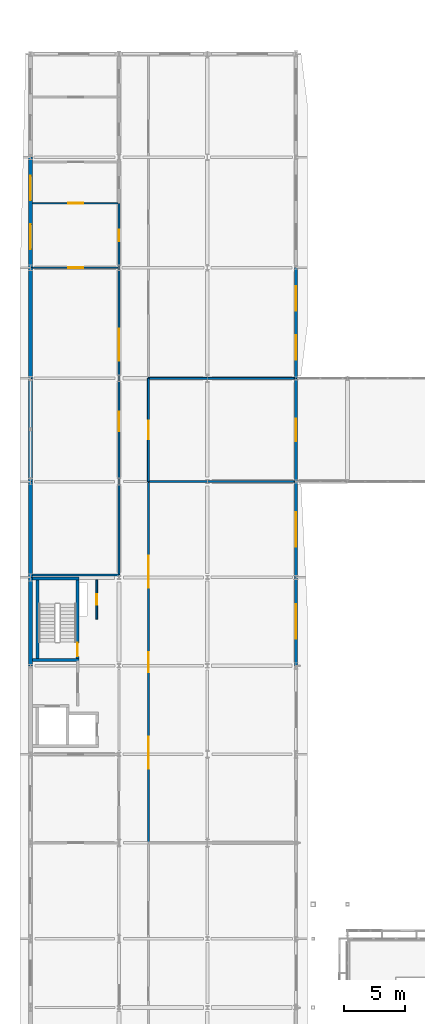
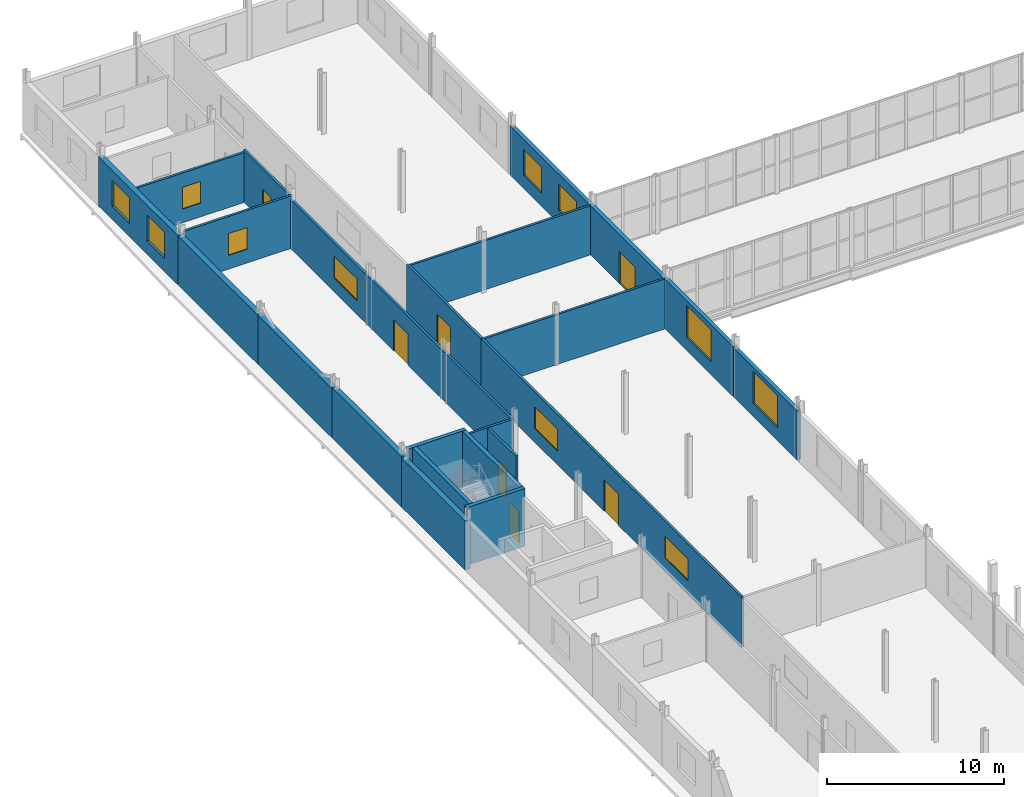
# One storey, part 117 of 138: 23 walls, 11 windows, 7 doors, 18 openings.
"""IFC4 building model written with IfcOpenShell, lengths in metres."""

from ifc_helpers import new_model, si_unit, direction, frame, frame_2d, origin, place, context, subcontext, project, spatial, rectangle, extrude, material, layer, layer_set, type_object, element, fill, save


model = new_model("IFC4")

# Units and contexts
model_context = context("Model", 3, precision=1e-05, world=origin(), true_north=direction((0.0, 1.0)))
body_context = subcontext(model_context, "Body", "Model", "MODEL_VIEW")
ifc_project = project(units=[si_unit("LENGTHUNIT", "METRE"), si_unit("AREAUNIT", "SQUARE_METRE"), si_unit("VOLUMEUNIT", "CUBIC_METRE"), si_unit("PLANEANGLEUNIT", "RADIAN"), si_unit("MASSUNIT", "GRAM", prefix="KILO")], contexts=[model_context])

# Site, building, storey
site_placement = place(None, origin())
site = spatial("IfcSite", under=ifc_project, at=site_placement, CompositionType="ELEMENT")
building_placement = place(site_placement, origin())
building = spatial("IfcBuilding", under=site, at=building_placement, Name="Vinh Khe Railworks Police Headquarters", CompositionType="ELEMENT")
storey_placement = place(building_placement, frame((0.0, 0.0, 9.0)))
storey = spatial("IfcBuildingStorey", under=building, at=storey_placement, Name="L02", CompositionType="ELEMENT", Elevation=9.0)

# Walls
ifc_material_1 = material(Name="Concrete C40/50 (B40)", Category="concrete")
ifc_layer_1 = layer(ifc_material_1, 0.25)
ifc_layer_set_1 = layer_set([ifc_layer_1], Name="Concrete C40/50 (B40)")
wall_type_1 = type_object("IfcWallType", Name="Core Shear Wall 250", PredefinedType="SHEAR", material=ifc_layer_set_1)
for number, where, z_axis, x_axis, name in (
    (1, (0.75, 81.47509765625, 0.0), (0.0, 0.0, 1.0), (1.0, 0.0, 0.0), "Core C2 STAIR-S Shear Wall (L02)"),
    (2, (0.75, 88.125, 0.0), (0.0, 0.0, 1.0), (1.0, 0.0, 0.0), "Core C2 STAIR-N Shear Wall (L02)"),
):
    element("IfcWall", number, at=place(storey_placement, frame(where, z_axis=z_axis, x_axis=x_axis)), inside=storey, type_object=wall_type_1, Name=name, PredefinedType="SHEAR", context=body_context, shape_type="SweptSolid", body=[
        extrude(rectangle(XDim=3.800048828125, YDim=0.25, at=frame_2d((1.89990234375, 0.0))), origin(), (0.0, 0.0, 1.0), 3.97998046875),
    ])
wall_1_placement = place(storey_placement, frame((1.175048828125, 81.60009765625, 0.0), z_axis=(0.0, 0.0, 1.0), x_axis=(0.0, 1.0, 0.0)))
element("IfcWall", 3, at=wall_1_placement, inside=storey, type_object=wall_type_1, Name="Core C2 STAIR-W Shear Wall (L02)", PredefinedType="SHEAR", context=body_context, shape_type="SweptSolid", body=[
    extrude(rectangle(XDim=6.39990234375, YDim=0.25, at=frame_2d((3.199951171875, 0.0))), origin(), (0.0, 0.0, 1.0), 3.97998046875),
])

# Wall, opening, door
wall_2_placement = place(storey_placement, frame((4.425048828125, 81.60009765625, 0.0), z_axis=(0.0, 0.0, 1.0), x_axis=(0.0, 1.0, 0.0)))
wall_2 = element("IfcWall", 4, at=wall_2_placement, inside=storey, type_object=wall_type_1, Name="Core C2 STAIR-E Shear Wall (L02)", PredefinedType="SHEAR", context=body_context, shape_type="SweptSolid", body=[
    extrude(rectangle(XDim=6.39990234375, YDim=0.25, at=frame_2d((3.199951171875, 0.0))), origin(), (0.0, 0.0, 1.0), 3.97998046875),
])
opening_1_placement = place(wall_2_placement, frame((0.169921875, 0.0, 0.0)))
opening_1 = element("IfcOpeningElement", 5, at=opening_1_placement, cuts=wall_2, Name="Opening FD-01", PredefinedType="OPENING", context=body_context, shape_type="SweptSolid", body=[
    extrude(rectangle(XDim=1.10009765625, YDim=2.14990234375, at=frame_2d((0.550048828125, 1.074951171875))), frame((0.0, 0.139892578125, 0.0), z_axis=(0.0, -1.0, 0.0), x_axis=(1.0, 0.0, 0.0)), (0.0, 0.0, 1.0), 0.27978515625),
])
ifc_material_2 = material(Name="Painted galvanised steel", Category="steel")
door_type_1 = type_object("IfcDoorType", Name="FD-1100x2150", OperationType="NOTDEFINED", PredefinedType="DOOR", material=ifc_material_2)
door_1_placement = place(opening_1_placement, frame((1.10009765625, 0.0, 0.0), z_axis=(0.0, 0.0, 1.0), x_axis=(-1.0, 0.0, 0.0)))
door_1 = element("IfcDoor", 6, at=door_1_placement, inside=storey, type_object=door_type_1, Name="Escape Stair ST-02 Fire Door L02", OperationType="SINGLE_SWING_LEFT", OverallHeight=2.14990234375, OverallWidth=1.10009765625, PredefinedType="DOOR", context=body_context, shape_type="SweptSolid", body=[
    extrude(rectangle(XDim=1.10009765625, YDim=2.14990234375, at=frame_2d((0.550048828125, 1.074951171875))), frame((0.0, 0.02490234375, 0.0), z_axis=(0.0, -1.0, 0.0), x_axis=(1.0, 0.0, 0.0)), (0.0, 0.0, 1.0), 0.050048828125),
])
fill(opening_1, door_1)

# Wall, opening, window
ifc_material_3 = material(Name="Clay brickwork", Category="masonry")
ifc_layer_2 = layer(ifc_material_3, 0.260009765625)
ifc_layer_set_2 = layer_set([ifc_layer_2], Name="Clay brickwork")
wall_type_2 = type_object("IfcWallType", Name="EW-BRK-260", PredefinedType="SOLIDWALL", material=ifc_layer_set_2)
wall_3_placement = place(storey_placement, frame((22.199951171875, 81.0, 0.0), z_axis=(0.0, 0.0, 1.0), x_axis=(0.0, 1.0, 0.0)))
wall_3 = element("IfcWall", 7, at=wall_3_placement, inside=storey, type_object=wall_type_2, Name="Exterior Brick Wall EW-L02-V5E-11", PredefinedType="SOLIDWALL", context=body_context, shape_type="SweptSolid", body=[
    extrude(rectangle(XDim=7.199951171875, YDim=0.260009765625, at=frame_2d((3.60009765625, 0.0))), origin(), (0.0, 0.0, 1.0), 3.375),
])
opening_2_placement = place(wall_3_placement, frame((2.199951171875, 0.0, 0.89990234375)))
opening_2 = element("IfcOpeningElement", 8, at=opening_2_placement, cuts=wall_3, Name="Opening WN-01", PredefinedType="OPENING", context=body_context, shape_type="SweptSolid", body=[
    extrude(rectangle(XDim=2.800048828125, YDim=2.199951171875, at=frame_2d((1.39990234375, 1.10009765625))), frame((0.0, 0.14501953125, 0.0), z_axis=(0.0, -1.0, 0.0), x_axis=(1.0, 0.0, 0.0)), (0.0, 0.0, 1.0), 0.289794921875),
])
ifc_material_4 = material(Name="Double-glazed solar-control glass in dark steel frame", Category="steel")
window_type_1 = type_object("IfcWindowType", Name="WIN-WN-01", PartitioningType="DOUBLE_PANEL_VERTICAL", PredefinedType="WINDOW", material=ifc_material_4)
window_1_placement = place(opening_2_placement, origin())
window_1 = element("IfcWindow", 9, at=window_1_placement, inside=storey, type_object=window_type_1, Name="Casement Window WN-01", OverallHeight=2.199951171875, OverallWidth=2.800048828125, PartitioningType="SINGLE_PANEL", PredefinedType="WINDOW", context=body_context, shape_type="SweptSolid", body=[
    extrude(rectangle(XDim=2.800048828125, YDim=2.199951171875, at=frame_2d((1.39990234375, 1.10009765625))), frame((0.0, 0.030029296875, 0.0), z_axis=(0.0, -1.0, 0.0), x_axis=(1.0, 0.0, 0.0)), (0.0, 0.0, 1.0), 0.06005859375),
])
fill(opening_2, window_1)

wall_4_placement = place(storey_placement, frame((22.199951171875, 88.199951171875, 0.0), z_axis=(0.0, 0.0, 1.0), x_axis=(0.0, 1.0, 0.0)))
wall_4 = element("IfcWall", 10, at=wall_4_placement, inside=storey, type_object=wall_type_2, Name="Exterior Brick Wall EW-L02-V5E-12", PredefinedType="SOLIDWALL", context=body_context, shape_type="SweptSolid", body=[
    extrude(rectangle(XDim=7.800048828125, YDim=0.260009765625, at=frame_2d((3.89990234375, 0.0))), origin(), (0.0, 0.0, 1.0), 3.425048828125),
])
opening_3_placement = place(wall_4_placement, frame((2.5, 0.0, 0.89990234375)))
opening_3 = element("IfcOpeningElement", 11, at=opening_3_placement, cuts=wall_4, Name="Opening WN-01", PredefinedType="OPENING", context=body_context, shape_type="SweptSolid", body=[
    extrude(rectangle(XDim=2.800048828125, YDim=2.199951171875, at=frame_2d((1.39990234375, 1.10009765625))), frame((0.0, 0.14501953125, 0.0), z_axis=(0.0, -1.0, 0.0), x_axis=(1.0, 0.0, 0.0)), (0.0, 0.0, 1.0), 0.289794921875),
])
window_2_placement = place(opening_3_placement, origin())
window_2 = element("IfcWindow", 12, at=window_2_placement, inside=storey, type_object=window_type_1, Name="Casement Window WN-01", OverallHeight=2.199951171875, OverallWidth=2.800048828125, PartitioningType="SINGLE_PANEL", PredefinedType="WINDOW", context=body_context, shape_type="SweptSolid", body=[
    extrude(rectangle(XDim=2.800048828125, YDim=2.199951171875, at=frame_2d((1.39990234375, 1.10009765625))), frame((0.0, 0.030029296875, 0.0), z_axis=(0.0, -1.0, 0.0), x_axis=(1.0, 0.0, 0.0)), (0.0, 0.0, 1.0), 0.06005859375),
])
fill(opening_3, window_2)

# Wall, opening, door
wall_5_placement = place(storey_placement, frame((22.199951171875, 96.0, 0.0), z_axis=(0.0, 0.0, 1.0), x_axis=(0.0, 1.0, 0.0)))
wall_5 = element("IfcWall", 13, at=wall_5_placement, inside=storey, type_object=wall_type_2, Name="Exterior Brick Wall EW-L02-V5E-13", PredefinedType="SOLIDWALL", context=body_context, shape_type="SweptSolid", body=[
    extrude(rectangle(XDim=8.39990234375, YDim=0.260009765625, at=frame_2d((4.199951171875, 0.0))), origin(), (0.0, 0.0, 1.0), 3.385009765625),
])
opening_4_placement = place(wall_5_placement, frame((3.300048828125, 0.0, 0.0)))
opening_4 = element("IfcOpeningElement", 14, at=opening_4_placement, cuts=wall_5, Name="Opening ED-03", PredefinedType="OPENING", context=body_context, shape_type="SweptSolid", body=[
    extrude(rectangle(XDim=1.800048828125, YDim=2.199951171875, at=frame_2d((0.89990234375, 1.10009765625))), frame((0.0, 0.14501953125, 0.0), z_axis=(0.0, -1.0, 0.0), x_axis=(1.0, 0.0, 0.0)), (0.0, 0.0, 1.0), 0.289794921875),
])
ifc_material_5 = material(Name="Dark anodised aluminium and solar-control glass", Category="aluminium")
door_type_2 = type_object("IfcDoorType", Name="ED-TER-1800", OperationType="DOUBLE_DOOR_SINGLE_SWING", PredefinedType="DOOR", material=ifc_material_5)
door_2_placement = place(opening_4_placement, frame((1.800048828125, 0.0, 0.0), z_axis=(0.0, 0.0, 1.0), x_axis=(-1.0, 0.0, 0.0)))
door_2 = element("IfcDoor", 15, at=door_2_placement, inside=storey, type_object=door_type_2, Name="Court Link Bridge West Portal Door L02", OperationType="DOUBLE_DOOR_SINGLE_SWING", OverallHeight=2.199951171875, OverallWidth=1.800048828125, PredefinedType="DOOR", context=body_context, shape_type="SweptSolid", body=[
    extrude(rectangle(XDim=1.800048828125, YDim=2.199951171875, at=frame_2d((0.89990234375, 1.10009765625))), frame((0.0, 0.02490234375, 0.0), z_axis=(0.0, -1.0, 0.0), x_axis=(1.0, 0.0, 0.0)), (0.0, 0.0, 1.0), 0.050048828125),
])
fill(opening_4, door_2)

# Wall, openings, windows
wall_6_placement = place(storey_placement, frame((22.199951171875, 104.39990234375, 0.0), z_axis=(0.0, 0.0, 1.0), x_axis=(0.0, 1.0, 0.0)))
wall_6 = element("IfcWall", 16, at=wall_6_placement, inside=storey, type_object=wall_type_2, Name="Exterior Brick Wall EW-L02-V5E-14", PredefinedType="SOLIDWALL", context=body_context, shape_type="SweptSolid", body=[
    extrude(rectangle(XDim=9.0, YDim=0.260009765625, at=frame_2d((4.5, 0.0))), origin(), (0.0, 0.0, 1.0), 3.385009765625),
])
opening_5_placement = place(wall_6_placement, frame((1.52001953125, 0.0, 0.89990234375)))
opening_5 = element("IfcOpeningElement", 17, at=opening_5_placement, cuts=wall_6, Name="Opening WN-04", PredefinedType="OPENING", context=body_context, shape_type="SweptSolid", body=[
    extrude(rectangle(XDim=2.0, YDim=1.800048828125, at=frame_2d((1.0, 0.89990234375))), frame((0.0, 0.14501953125, 0.0), z_axis=(0.0, -1.0, 0.0), x_axis=(1.0, 0.0, 0.0)), (0.0, 0.0, 1.0), 0.289794921875),
])
opening_6_placement = place(wall_6_placement, frame((5.47998046875, 0.0, 0.89990234375)))
opening_6 = element("IfcOpeningElement", 18, at=opening_6_placement, cuts=wall_6, Name="Opening WN-04", PredefinedType="OPENING", context=body_context, shape_type="SweptSolid", body=[
    extrude(rectangle(XDim=2.0, YDim=1.800048828125, at=frame_2d((1.0, 0.89990234375))), frame((0.0, 0.14501953125, 0.0), z_axis=(0.0, -1.0, 0.0), x_axis=(1.0, 0.0, 0.0)), (0.0, 0.0, 1.0), 0.289794921875),
])
window_type_2 = type_object("IfcWindowType", Name="WIN-WN-04", PartitioningType="DOUBLE_PANEL_VERTICAL", PredefinedType="WINDOW", material=ifc_material_4)
window_3_placement = place(opening_5_placement, origin())
window_3 = element("IfcWindow", 19, at=window_3_placement, inside=storey, type_object=window_type_2, Name="Casement Window WN-04", OverallHeight=1.800048828125, OverallWidth=2.0, PartitioningType="SINGLE_PANEL", PredefinedType="WINDOW", context=body_context, shape_type="SweptSolid", body=[
    extrude(rectangle(XDim=2.0, YDim=1.800048828125, at=frame_2d((1.0, 0.89990234375))), frame((0.0, 0.030029296875, 0.0), z_axis=(0.0, -1.0, 0.0), x_axis=(1.0, 0.0, 0.0)), (0.0, 0.0, 1.0), 0.06005859375),
])
fill(opening_5, window_3)
window_4_placement = place(opening_6_placement, origin())
window_4 = element("IfcWindow", 20, at=window_4_placement, inside=storey, type_object=window_type_2, Name="Casement Window WN-04", OverallHeight=1.800048828125, OverallWidth=2.0, PartitioningType="SINGLE_PANEL", PredefinedType="WINDOW", context=body_context, shape_type="SweptSolid", body=[
    extrude(rectangle(XDim=2.0, YDim=1.800048828125, at=frame_2d((1.0, 0.89990234375))), frame((0.0, 0.030029296875, 0.0), z_axis=(0.0, -1.0, 0.0), x_axis=(1.0, 0.0, 0.0)), (0.0, 0.0, 1.0), 0.06005859375),
])
fill(opening_6, window_4)

# Walls
ifc_layer_3 = layer(ifc_material_3, 0.340087890625)
ifc_layer_set_3 = layer_set([ifc_layer_3], Name="Clay brickwork")
wall_type_3 = type_object("IfcWallType", Name="EW-BRK-340", PredefinedType="SOLIDWALL", material=ifc_layer_set_3)
wall_7_placement = place(storey_placement, frame((0.60009765625, 81.0, 0.0), z_axis=(0.0, 0.0, 1.0), x_axis=(0.0, 1.0, 0.0)))
element("IfcWall", 21, at=wall_7_placement, inside=storey, type_object=wall_type_3, Name="Exterior Brick Wall EW-L02-V5W-11", PredefinedType="SOLIDWALL", context=body_context, shape_type="SweptSolid", body=[
    extrude(rectangle(XDim=7.199951171875, YDim=0.340087890625, at=frame_2d((3.60009765625, 0.0))), origin(), (0.0, 0.0, 1.0), 3.375),
])
wall_8_placement = place(storey_placement, frame((0.60009765625, 88.199951171875, 0.0), z_axis=(0.0, 0.0, 1.0), x_axis=(0.0, 1.0, 0.0)))
element("IfcWall", 22, at=wall_8_placement, inside=storey, type_object=wall_type_3, Name="Exterior Brick Wall EW-L02-V5W-12", PredefinedType="SOLIDWALL", context=body_context, shape_type="SweptSolid", body=[
    extrude(rectangle(XDim=7.800048828125, YDim=0.340087890625, at=frame_2d((3.89990234375, 0.0))), origin(), (0.0, 0.0, 1.0), 3.47509765625),
])
wall_9_placement = place(storey_placement, frame((0.60009765625, 96.0, 0.0), z_axis=(0.0, 0.0, 1.0), x_axis=(0.0, 1.0, 0.0)))
element("IfcWall", 23, at=wall_9_placement, inside=storey, type_object=wall_type_3, Name="Exterior Brick Wall EW-L02-V5W-13", PredefinedType="SOLIDWALL", context=body_context, shape_type="SweptSolid", body=[
    extrude(rectangle(XDim=8.39990234375, YDim=0.340087890625, at=frame_2d((4.199951171875, 0.0))), origin(), (0.0, 0.0, 1.0), 3.385009765625),
])
wall_10_placement = place(storey_placement, frame((0.60009765625, 104.39990234375, 0.0), z_axis=(0.0, 0.0, 1.0), x_axis=(0.0, 1.0, 0.0)))
element("IfcWall", 24, at=wall_10_placement, inside=storey, type_object=wall_type_3, Name="Exterior Brick Wall EW-L02-V5W-14", PredefinedType="SOLIDWALL", context=body_context, shape_type="SweptSolid", body=[
    extrude(rectangle(XDim=9.0, YDim=0.340087890625, at=frame_2d((4.5, 0.0))), origin(), (0.0, 0.0, 1.0), 3.385009765625),
])

# Wall, openings, windows
wall_11_placement = place(storey_placement, frame((0.60009765625, 113.39990234375, 0.0), z_axis=(0.0, 0.0, 1.0), x_axis=(0.0, 1.0, 0.0)))
wall_11 = element("IfcWall", 25, at=wall_11_placement, inside=storey, type_object=wall_type_3, Name="Exterior Brick Wall EW-L02-V5W-15", PredefinedType="SOLIDWALL", context=body_context, shape_type="SweptSolid", body=[
    extrude(rectangle(XDim=9.0, YDim=0.340087890625, at=frame_2d((4.5, 0.0))), origin(), (0.0, 0.0, 1.0), 3.385009765625),
])
opening_7_placement = place(wall_11_placement, frame((1.52001953125, 0.0, 0.89990234375)))
opening_7 = element("IfcOpeningElement", 26, at=opening_7_placement, cuts=wall_11, Name="Opening WN-04", PredefinedType="OPENING", context=body_context, shape_type="SweptSolid", body=[
    extrude(rectangle(XDim=2.0, YDim=1.800048828125, at=frame_2d((1.0, 0.89990234375))), frame((0.0, 0.18505859375, 0.0), z_axis=(0.0, -1.0, 0.0), x_axis=(1.0, 0.0, 0.0)), (0.0, 0.0, 1.0), 0.369873046875),
])
opening_8_placement = place(wall_11_placement, frame((5.47998046875, 0.0, 0.89990234375)))
opening_8 = element("IfcOpeningElement", 27, at=opening_8_placement, cuts=wall_11, Name="Opening WN-04", PredefinedType="OPENING", context=body_context, shape_type="SweptSolid", body=[
    extrude(rectangle(XDim=2.0, YDim=1.800048828125, at=frame_2d((1.0, 0.89990234375))), frame((0.0, 0.18505859375, 0.0), z_axis=(0.0, -1.0, 0.0), x_axis=(1.0, 0.0, 0.0)), (0.0, 0.0, 1.0), 0.369873046875),
])
window_5_placement = place(opening_7_placement, origin())
window_5 = element("IfcWindow", 28, at=window_5_placement, inside=storey, type_object=window_type_2, Name="Casement Window WN-04", OverallHeight=1.800048828125, OverallWidth=2.0, PartitioningType="SINGLE_PANEL", PredefinedType="WINDOW", context=body_context, shape_type="SweptSolid", body=[
    extrude(rectangle(XDim=2.0, YDim=1.800048828125, at=frame_2d((1.0, 0.89990234375))), frame((0.0, 0.030029296875, 0.0), z_axis=(0.0, -1.0, 0.0), x_axis=(1.0, 0.0, 0.0)), (0.0, 0.0, 1.0), 0.06005859375),
])
fill(opening_7, window_5)
window_6_placement = place(opening_8_placement, origin())
window_6 = element("IfcWindow", 29, at=window_6_placement, inside=storey, type_object=window_type_2, Name="Casement Window WN-04", OverallHeight=1.800048828125, OverallWidth=2.0, PartitioningType="SINGLE_PANEL", PredefinedType="WINDOW", context=body_context, shape_type="SweptSolid", body=[
    extrude(rectangle(XDim=2.0, YDim=1.800048828125, at=frame_2d((1.0, 0.89990234375))), frame((0.0, 0.030029296875, 0.0), z_axis=(0.0, -1.0, 0.0), x_axis=(1.0, 0.0, 0.0)), (0.0, 0.0, 1.0), 0.06005859375),
])
fill(opening_8, window_6)

# Wall
ifc_material_6 = material(Name="Gypsum plasterboard on steel stud", Category="steel")
ifc_layer_4 = layer(ifc_material_6, 0.1201171875)
ifc_layer_set_4 = layer_set([ifc_layer_4], Name="Gypsum plasterboard on steel stud")
wall_type_4 = type_object("IfcWallType", Name="IW-PART-120", PredefinedType="PARTITIONING", material=ifc_layer_set_4)
wall_12_placement = place(storey_placement, frame((0.780029296875, 88.39990234375, 0.0), z_axis=(0.0, 0.0, 1.0), x_axis=(1.0, 0.0, 0.0)))
element("IfcWall", 30, at=wall_12_placement, inside=storey, type_object=wall_type_4, Name="Interior Partition W-L02-V5-HOM1-DIV", PredefinedType="PARTITIONING", context=body_context, shape_type="SweptSolid", body=[
    extrude(rectangle(XDim=7.02001953125, YDim=0.14990234375, at=frame_2d((3.510009765625, 0.0))), origin(), (0.0, 0.0, 1.0), 3.375),
])

# Wall, opening, window
wall_13_placement = place(storey_placement, frame((0.780029296875, 118.64208984375, 0.0), z_axis=(0.0, 0.0, 1.0), x_axis=(1.0, 0.0, 0.0)))
wall_13 = element("IfcWall", 31, at=wall_13_placement, inside=storey, type_object=wall_type_4, Name="Interior Partition W-L02-V5-WCL2S-DIV", PredefinedType="PARTITIONING", context=body_context, shape_type="SweptSolid", body=[
    extrude(rectangle(XDim=7.02001953125, YDim=0.14990234375, at=frame_2d((3.510009765625, 0.0))), origin(), (0.0, 0.0, 1.0), 3.43505859375),
])
opening_9_placement = place(wall_13_placement, frame((2.909912109375, 0.0, 0.949951171875)))
opening_9 = element("IfcOpeningElement", 32, at=opening_9_placement, cuts=wall_13, Name="Opening WN-10", PredefinedType="OPENING", context=body_context, shape_type="SweptSolid", body=[
    extrude(rectangle(XDim=1.199951171875, YDim=1.5, at=frame_2d((0.60009765625, 0.75))), frame((0.0, 0.08984375, 0.0), z_axis=(0.0, -1.0, 0.0), x_axis=(1.0, 0.0, 0.0)), (0.0, 0.0, 1.0), 0.1796875),
])
window_type_3 = type_object("IfcWindowType", Name="WIN-WN-10", PartitioningType="SINGLE_PANEL", PredefinedType="WINDOW", material=ifc_material_4)
window_7_placement = place(opening_9_placement, origin())
window_7 = element("IfcWindow", 33, at=window_7_placement, inside=storey, type_object=window_type_3, Name="Interior Acoustic Vision Window WN-10", OverallHeight=1.5, OverallWidth=1.199951171875, PartitioningType="SINGLE_PANEL", PredefinedType="WINDOW", context=body_context, shape_type="SweptSolid", body=[
    extrude(rectangle(XDim=1.199951171875, YDim=1.5, at=frame_2d((0.60009765625, 0.75))), frame((0.0, 0.030029296875, 0.0), z_axis=(0.0, -1.0, 0.0), x_axis=(1.0, 0.0, 0.0)), (0.0, 0.0, 1.0), 0.06005859375),
])
fill(opening_9, window_7)

wall_14_placement = place(storey_placement, frame((0.780029296875, 113.39990234375, 0.0), z_axis=(0.0, 0.0, 1.0), x_axis=(1.0, 0.0, 0.0)))
wall_14 = element("IfcWall", 34, at=wall_14_placement, inside=storey, type_object=wall_type_4, Name="Interior Partition W-L02-V5-WCL2-DIV", PredefinedType="PARTITIONING", context=body_context, shape_type="SweptSolid", body=[
    extrude(rectangle(XDim=7.02001953125, YDim=0.14990234375, at=frame_2d((3.510009765625, 0.0))), origin(), (0.0, 0.0, 1.0), 3.625),
])
opening_10_placement = place(wall_14_placement, frame((2.909912109375, 0.0, 0.949951171875)))
opening_10 = element("IfcOpeningElement", 35, at=opening_10_placement, cuts=wall_14, Name="Opening WN-10", PredefinedType="OPENING", context=body_context, shape_type="SweptSolid", body=[
    extrude(rectangle(XDim=1.199951171875, YDim=1.5, at=frame_2d((0.60009765625, 0.75))), frame((0.0, 0.08984375, 0.0), z_axis=(0.0, -1.0, 0.0), x_axis=(1.0, 0.0, 0.0)), (0.0, 0.0, 1.0), 0.1796875),
])
window_8_placement = place(opening_10_placement, origin())
window_8 = element("IfcWindow", 36, at=window_8_placement, inside=storey, type_object=window_type_3, Name="Interior Acoustic Vision Window WN-10", OverallHeight=1.5, OverallWidth=1.199951171875, PartitioningType="SINGLE_PANEL", PredefinedType="WINDOW", context=body_context, shape_type="SweptSolid", body=[
    extrude(rectangle(XDim=1.199951171875, YDim=1.5, at=frame_2d((0.60009765625, 0.75))), frame((0.0, 0.030029296875, 0.0), z_axis=(0.0, -1.0, 0.0), x_axis=(1.0, 0.0, 0.0)), (0.0, 0.0, 1.0), 0.06005859375),
])
fill(opening_10, window_8)

# Walls
wall_15_placement = place(storey_placement, frame((10.199951171875, 96.0, 0.0), z_axis=(0.0, 0.0, 1.0), x_axis=(1.0, 0.0, 0.0)))
element("IfcWall", 37, at=wall_15_placement, inside=storey, type_object=wall_type_4, Name="Interior Partition W-L02-V5-BRG2V-DIV", PredefinedType="PARTITIONING", context=body_context, shape_type="SweptSolid", body=[
    extrude(rectangle(XDim=11.860107421875, YDim=0.14990234375, at=frame_2d((5.93017578125, 0.0))), origin(), (0.0, 0.0, 1.0), 3.43505859375),
])
wall_16_placement = place(storey_placement, frame((10.199951171875, 104.39990234375, 0.0), z_axis=(0.0, 0.0, 1.0), x_axis=(1.0, 0.0, 0.0)))
element("IfcWall", 38, at=wall_16_placement, inside=storey, type_object=wall_type_4, Name="Interior Partition W-L02-V5-INT2-DIV", PredefinedType="PARTITIONING", context=body_context, shape_type="SweptSolid", body=[
    extrude(rectangle(XDim=11.860107421875, YDim=0.14990234375, at=frame_2d((5.93017578125, 0.0))), origin(), (0.0, 0.0, 1.0), 3.385009765625),
])

# Wall, opening, door
ifc_material_7 = material(Name="Gypsum plasterboard on acoustic steel stud", Category="steel")
ifc_layer_5 = layer(ifc_material_7, 0.14990234375)
ifc_layer_set_5 = layer_set([ifc_layer_5], Name="Gypsum plasterboard on acoustic steel stud")
wall_type_5 = type_object("IfcWallType", Name="IW-PART-150", PredefinedType="PARTITIONING", material=ifc_layer_set_5)
wall_17_placement = place(storey_placement, frame((6.0, 84.800048828125, 0.0), z_axis=(0.0, 0.0, 1.0), x_axis=(0.0, 1.0, 0.0)))
wall_17 = element("IfcWall", 39, at=wall_17_placement, inside=storey, type_object=wall_type_5, Name="Interior Partition W-RSR-C2-E-L02", PredefinedType="PARTITIONING", context=body_context, shape_type="SweptSolid", body=[
    extrude(rectangle(XDim=3.199951171875, YDim=0.14990234375, at=frame_2d((1.60009765625, 0.0))), origin(), (0.0, 0.0, 1.0), 3.625),
])
opening_11_placement = place(wall_17_placement, frame((1.175048828125, 0.0, 0.0)))
opening_11 = element("IfcOpeningElement", 40, at=opening_11_placement, cuts=wall_17, Name="Opening FD-04", PredefinedType="OPENING", context=body_context, shape_type="SweptSolid", body=[
    extrude(rectangle(XDim=0.85009765625, YDim=2.10009765625, at=frame_2d((0.425048828125, 1.050048828125))), frame((0.0, 0.08984375, 0.0), z_axis=(0.0, -1.0, 0.0), x_axis=(1.0, 0.0, 0.0)), (0.0, 0.0, 1.0), 0.1796875),
])
door_type_3 = type_object("IfcDoorType", Name="FD-850x2100", OperationType="NOTDEFINED", PredefinedType="DOOR", material=ifc_material_2)
door_3_placement = place(opening_11_placement, origin())
door_3 = element("IfcDoor", 41, at=door_3_placement, inside=storey, type_object=door_type_3, Name="Wet Riser Access Door", OperationType="SINGLE_SWING_RIGHT", OverallHeight=2.10009765625, OverallWidth=0.85009765625, PredefinedType="DOOR", context=body_context, shape_type="SweptSolid", body=[
    extrude(rectangle(XDim=0.85009765625, YDim=2.10009765625, at=frame_2d((0.425048828125, 1.050048828125))), frame((0.0, 0.02490234375, 0.0), z_axis=(0.0, -1.0, 0.0), x_axis=(1.0, 0.0, 0.0)), (0.0, 0.0, 1.0), 0.050048828125),
])
fill(opening_11, door_3)

# Wall, openings, door, window
wall_18_placement = place(storey_placement, frame((7.800048828125, 88.39990234375, 0.0), z_axis=(0.0, 0.0, 1.0), x_axis=(0.0, 1.0, 0.0)))
wall_18 = element("IfcWall", 42, at=wall_18_placement, inside=storey, type_object=wall_type_5, Name="Interior Partition W-L02-V5-HOM1-CW", PredefinedType="PARTITIONING", context=body_context, shape_type="SweptSolid", body=[
    extrude(rectangle(XDim=25.0, YDim=0.14990234375, at=frame_2d((12.5, 0.0))), origin(), (0.0, 0.0, 1.0), 3.375),
])
opening_12_placement = place(wall_18_placement, frame((11.699951171875, 0.0, 0.0)))
opening_12 = element("IfcOpeningElement", 43, at=opening_12_placement, cuts=wall_18, Name="Opening D-03", PredefinedType="OPENING", context=body_context, shape_type="SweptSolid", body=[
    extrude(rectangle(XDim=1.60009765625, YDim=2.14990234375, at=frame_2d((0.800048828125, 1.074951171875))), frame((0.0, 0.08984375, 0.0), z_axis=(0.0, -1.0, 0.0), x_axis=(1.0, 0.0, 0.0)), (0.0, 0.0, 1.0), 0.1796875),
])
opening_13_placement = place(wall_18_placement, frame((17.449951171875, 0.0, 0.949951171875)))
opening_13 = element("IfcOpeningElement", 44, at=opening_13_placement, cuts=wall_18, Name="Opening WN-07", PredefinedType="OPENING", context=body_context, shape_type="SweptSolid", body=[
    extrude(rectangle(XDim=2.60009765625, YDim=1.5, at=frame_2d((1.300048828125, 0.75))), frame((0.0, 0.08984375, 0.0), z_axis=(0.0, -1.0, 0.0), x_axis=(1.0, 0.0, 0.0)), (0.0, 0.0, 1.0), 0.1796875),
])
door_type_4 = type_object("IfcDoorType", Name="ID-1600x2150", OperationType="DOUBLE_DOOR_SINGLE_SWING", PredefinedType="DOOR", material=ifc_material_2)
door_4_placement = place(opening_12_placement, origin())
door_4 = element("IfcDoor", 45, at=door_4_placement, inside=storey, type_object=door_type_4, Name="Major Crime Taskforce Suite Door", OperationType="DOUBLE_DOOR_SINGLE_SWING", OverallHeight=2.14990234375, OverallWidth=1.60009765625, PredefinedType="DOOR", context=body_context, shape_type="SweptSolid", body=[
    extrude(rectangle(XDim=1.60009765625, YDim=2.14990234375, at=frame_2d((0.800048828125, 1.074951171875))), frame((0.0, 0.02490234375, 0.0), z_axis=(0.0, -1.0, 0.0), x_axis=(1.0, 0.0, 0.0)), (0.0, 0.0, 1.0), 0.050048828125),
])
fill(opening_12, door_4)
window_type_4 = type_object("IfcWindowType", Name="WIN-WN-07", PartitioningType="DOUBLE_PANEL_HORIZONTAL", PredefinedType="WINDOW", material=ifc_material_4)
window_9_placement = place(opening_13_placement, origin())
window_9 = element("IfcWindow", 46, at=window_9_placement, inside=storey, type_object=window_type_4, Name="Interior Acoustic Vision Window WN-07", OverallHeight=1.5, OverallWidth=2.60009765625, PartitioningType="SINGLE_PANEL", PredefinedType="WINDOW", context=body_context, shape_type="SweptSolid", body=[
    extrude(rectangle(XDim=2.60009765625, YDim=1.5, at=frame_2d((1.300048828125, 0.75))), frame((0.0, 0.030029296875, 0.0), z_axis=(0.0, -1.0, 0.0), x_axis=(1.0, 0.0, 0.0)), (0.0, 0.0, 1.0), 0.06005859375),
])
fill(opening_13, window_9)

# Wall, opening, door
wall_19_placement = place(storey_placement, frame((7.800048828125, 113.39990234375, 0.0), z_axis=(0.0, 0.0, 1.0), x_axis=(0.0, 1.0, 0.0)))
wall_19 = element("IfcWall", 47, at=wall_19_placement, inside=storey, type_object=wall_type_5, Name="Interior Partition W-L02-V5-WCL2S-CW", PredefinedType="PARTITIONING", context=body_context, shape_type="SweptSolid", body=[
    extrude(rectangle(XDim=5.2421875, YDim=0.14990234375, at=frame_2d((2.62109375, 0.0))), origin(), (0.0, 0.0, 1.0), 3.5849609375),
])
opening_14_placement = place(wall_19_placement, frame((2.14599609375, 0.0, 0.0)))
opening_14 = element("IfcOpeningElement", 48, at=opening_14_placement, cuts=wall_19, Name="Opening D-01", PredefinedType="OPENING", context=body_context, shape_type="SweptSolid", body=[
    extrude(rectangle(XDim=0.949951171875, YDim=2.14990234375, at=frame_2d((0.47509765625, 1.074951171875))), frame((0.0, 0.08984375, 0.0), z_axis=(0.0, -1.0, 0.0), x_axis=(1.0, 0.0, 0.0)), (0.0, 0.0, 1.0), 0.1796875),
])
ifc_material_8 = material(Name="Seasoned hardwood timber", Category="wood")
door_type_5 = type_object("IfcDoorType", Name="ID-950x2150", OperationType="NOTDEFINED", PredefinedType="DOOR", material=ifc_material_8)
door_5_placement = place(opening_14_placement, origin())
door_5 = element("IfcDoor", 49, at=door_5_placement, inside=storey, type_object=door_type_5, Name="Floor Supplies Store Door", OperationType="SINGLE_SWING_RIGHT", OverallHeight=2.14990234375, OverallWidth=0.949951171875, PredefinedType="DOOR", context=body_context, shape_type="SweptSolid", body=[
    extrude(rectangle(XDim=0.949951171875, YDim=2.14990234375, at=frame_2d((0.47509765625, 1.074951171875))), frame((0.0, 0.02490234375, 0.0), z_axis=(0.0, -1.0, 0.0), x_axis=(1.0, 0.0, 0.0)), (0.0, 0.0, 1.0), 0.050048828125),
])
fill(opening_14, door_5)

# Wall, openings, door, windows
wall_20_placement = place(storey_placement, frame((10.199951171875, 66.60009765625, 0.0), z_axis=(0.0, 0.0, 1.0), x_axis=(0.0, 1.0, 0.0)))
wall_20 = element("IfcWall", 50, at=wall_20_placement, inside=storey, type_object=wall_type_5, Name="Interior Partition W-L02-V5-PAT2-CE", PredefinedType="PARTITIONING", context=body_context, shape_type="SweptSolid", body=[
    extrude(rectangle(XDim=29.39990234375, YDim=0.14990234375, at=frame_2d((14.699951171875, 0.0))), origin(), (0.0, 0.0, 1.0), 3.47509765625),
])
opening_15_placement = place(wall_20_placement, frame((13.89990234375, 0.0, 0.0)))
opening_15 = element("IfcOpeningElement", 51, at=opening_15_placement, cuts=wall_20, Name="Opening D-03", PredefinedType="OPENING", context=body_context, shape_type="SweptSolid", body=[
    extrude(rectangle(XDim=1.60009765625, YDim=2.14990234375, at=frame_2d((0.800048828125, 1.074951171875))), frame((0.0, 0.08984375, 0.0), z_axis=(0.0, -1.0, 0.0), x_axis=(1.0, 0.0, 0.0)), (0.0, 0.0, 1.0), 0.1796875),
])
opening_16_placement = place(wall_20_placement, frame((6.050048828125, 0.0, 0.949951171875)))
opening_16 = element("IfcOpeningElement", 52, at=opening_16_placement, cuts=wall_20, Name="Opening WN-07", PredefinedType="OPENING", context=body_context, shape_type="SweptSolid", body=[
    extrude(rectangle(XDim=2.60009765625, YDim=1.5, at=frame_2d((1.300048828125, 0.75))), frame((0.0, 0.08984375, 0.0), z_axis=(0.0, -1.0, 0.0), x_axis=(1.0, 0.0, 0.0)), (0.0, 0.0, 1.0), 0.1796875),
])
opening_17_placement = place(wall_20_placement, frame((20.75, 0.0, 0.949951171875)))
opening_17 = element("IfcOpeningElement", 53, at=opening_17_placement, cuts=wall_20, Name="Opening WN-07", PredefinedType="OPENING", context=body_context, shape_type="SweptSolid", body=[
    extrude(rectangle(XDim=2.60009765625, YDim=1.5, at=frame_2d((1.300048828125, 0.75))), frame((0.0, 0.08984375, 0.0), z_axis=(0.0, -1.0, 0.0), x_axis=(1.0, 0.0, 0.0)), (0.0, 0.0, 1.0), 0.1796875),
])
door_6_placement = place(opening_15_placement, origin())
door_6 = element("IfcDoor", 54, at=door_6_placement, inside=storey, type_object=door_type_4, Name="Highway Patrol Dispatch Bureau Door", OperationType="DOUBLE_DOOR_SINGLE_SWING", OverallHeight=2.14990234375, OverallWidth=1.60009765625, PredefinedType="DOOR", context=body_context, shape_type="SweptSolid", body=[
    extrude(rectangle(XDim=1.60009765625, YDim=2.14990234375, at=frame_2d((0.800048828125, 1.074951171875))), frame((0.0, 0.02490234375, 0.0), z_axis=(0.0, -1.0, 0.0), x_axis=(1.0, 0.0, 0.0)), (0.0, 0.0, 1.0), 0.050048828125),
])
fill(opening_15, door_6)
window_10_placement = place(opening_16_placement, origin())
window_10 = element("IfcWindow", 55, at=window_10_placement, inside=storey, type_object=window_type_4, Name="Interior Acoustic Vision Window WN-07", OverallHeight=1.5, OverallWidth=2.60009765625, PartitioningType="SINGLE_PANEL", PredefinedType="WINDOW", context=body_context, shape_type="SweptSolid", body=[
    extrude(rectangle(XDim=2.60009765625, YDim=1.5, at=frame_2d((1.300048828125, 0.75))), frame((0.0, 0.030029296875, 0.0), z_axis=(0.0, -1.0, 0.0), x_axis=(1.0, 0.0, 0.0)), (0.0, 0.0, 1.0), 0.06005859375),
])
fill(opening_16, window_10)
window_11_placement = place(opening_17_placement, origin())
window_11 = element("IfcWindow", 56, at=window_11_placement, inside=storey, type_object=window_type_4, Name="Interior Acoustic Vision Window WN-07", OverallHeight=1.5, OverallWidth=2.60009765625, PartitioningType="SINGLE_PANEL", PredefinedType="WINDOW", context=body_context, shape_type="SweptSolid", body=[
    extrude(rectangle(XDim=2.60009765625, YDim=1.5, at=frame_2d((1.300048828125, 0.75))), frame((0.0, 0.030029296875, 0.0), z_axis=(0.0, -1.0, 0.0), x_axis=(1.0, 0.0, 0.0)), (0.0, 0.0, 1.0), 0.06005859375),
])
fill(opening_17, window_11)

# Wall, opening, door
wall_21_placement = place(storey_placement, frame((10.199951171875, 96.0, 0.0), z_axis=(0.0, 0.0, 1.0), x_axis=(0.0, 1.0, 0.0)))
wall_21 = element("IfcWall", 57, at=wall_21_placement, inside=storey, type_object=wall_type_5, Name="Interior Partition W-L02-V5-BRG2V-CE", PredefinedType="PARTITIONING", context=body_context, shape_type="SweptSolid", body=[
    extrude(rectangle(XDim=8.39990234375, YDim=0.14990234375, at=frame_2d((4.199951171875, 0.0))), origin(), (0.0, 0.0, 1.0), 3.47509765625),
])
opening_18_placement = place(wall_21_placement, frame((3.449951171875, 0.0, 0.0)))
opening_18 = element("IfcOpeningElement", 58, at=opening_18_placement, cuts=wall_21, Name="Opening FD-02", PredefinedType="OPENING", context=body_context, shape_type="SweptSolid", body=[
    extrude(rectangle(XDim=1.5, YDim=2.14990234375, at=frame_2d((0.75, 1.074951171875))), frame((0.0, 0.08984375, 0.0), z_axis=(0.0, -1.0, 0.0), x_axis=(1.0, 0.0, 0.0)), (0.0, 0.0, 1.0), 0.1796875),
])
door_type_6 = type_object("IfcDoorType", Name="FD-1500x2150", OperationType="DOUBLE_DOOR_SINGLE_SWING", PredefinedType="DOOR", material=ifc_material_2)
door_7_placement = place(opening_18_placement, origin())
door_7 = element("IfcDoor", 59, at=door_7_placement, inside=storey, type_object=door_type_6, Name="Upper Bridge Security Vestibule Door", OperationType="DOUBLE_DOOR_SINGLE_SWING", OverallHeight=2.14990234375, OverallWidth=1.5, PredefinedType="DOOR", context=body_context, shape_type="SweptSolid", body=[
    extrude(rectangle(XDim=1.5, YDim=2.14990234375, at=frame_2d((0.75, 1.074951171875))), frame((0.0, 0.02490234375, 0.0), z_axis=(0.0, -1.0, 0.0), x_axis=(1.0, 0.0, 0.0)), (0.0, 0.0, 1.0), 0.050048828125),
])
fill(opening_18, door_7)

save(model, "model.ifc")
